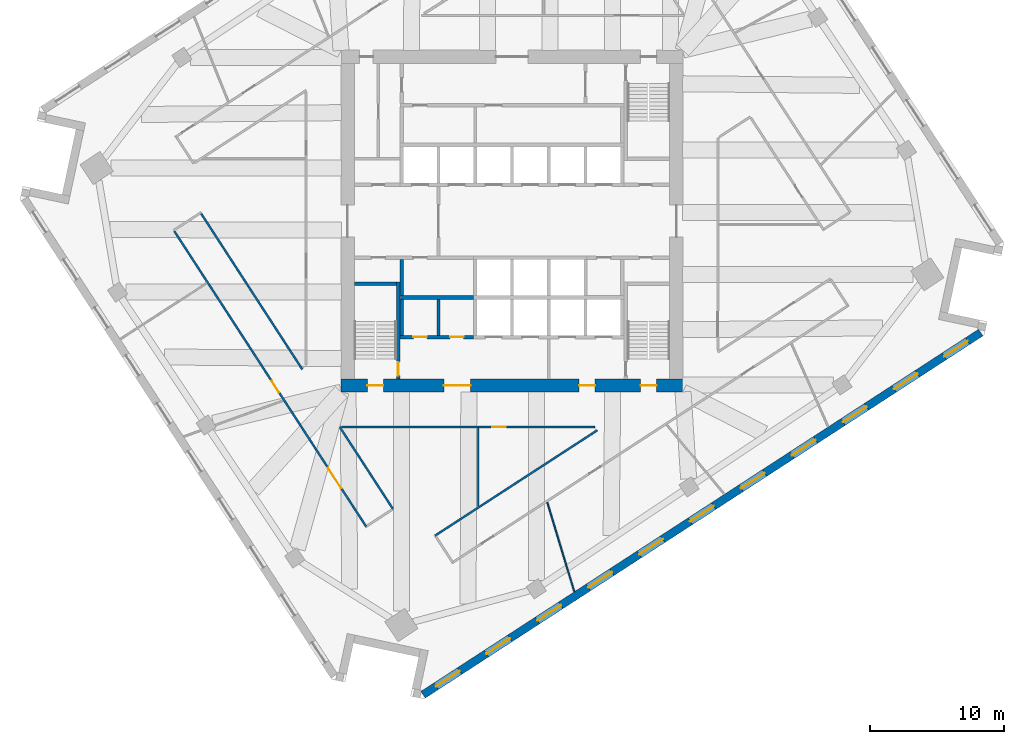
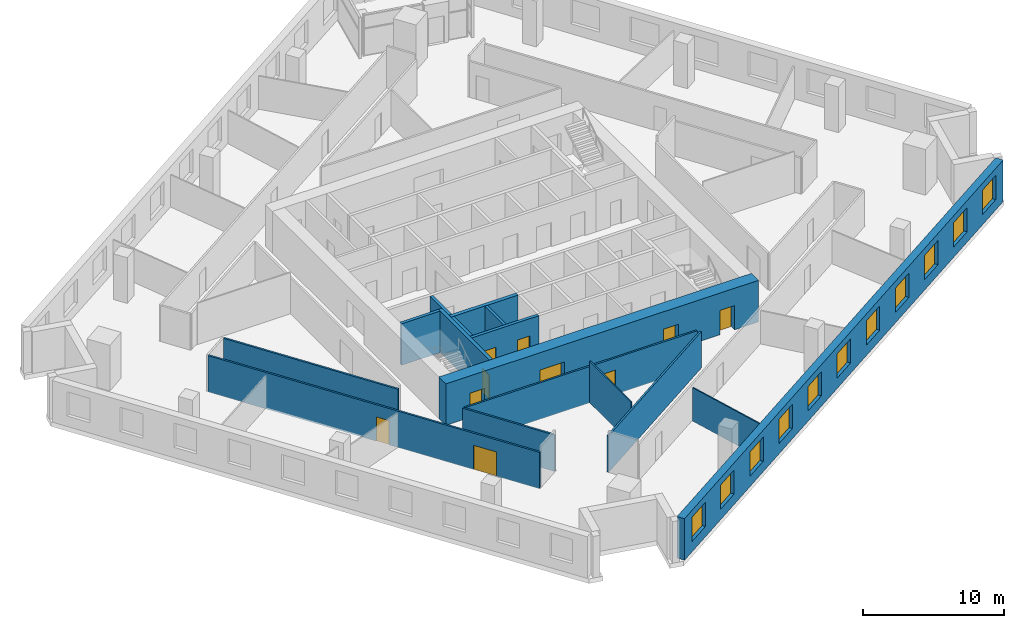
# One storey, part 6 of 12: 16 walls, 11 windows, 10 doors, 21 openings.
"""IFC4 building model written with IfcOpenShell, lengths in metres."""

from ifc_helpers import new_model, si_unit, direction, frame, frame_2d, origin, place, context, subcontext, project, spatial, rectangle, extrude, material, layer, layer_set, type_object, element, fill, save


model = new_model("IFC4")

# Units and contexts
model_context = context("Model", 3, precision=1e-05, world=origin(), true_north=direction((0.0, 1.0)))
body_context = subcontext(model_context, "Body", "Model", "MODEL_VIEW")
ifc_project = project(units=[si_unit("LENGTHUNIT", "METRE"), si_unit("AREAUNIT", "SQUARE_METRE"), si_unit("VOLUMEUNIT", "CUBIC_METRE"), si_unit("PLANEANGLEUNIT", "RADIAN"), si_unit("MASSUNIT", "GRAM", prefix="KILO")], contexts=[model_context])

# Site, building, storey
site_placement = place(None, origin())
site = spatial("IfcSite", under=ifc_project, at=site_placement, CompositionType="ELEMENT")
building_placement = place(site_placement, origin())
building = spatial("IfcBuilding", under=site, at=building_placement, Name="Dilmun Exchange Tower", CompositionType="ELEMENT")
storey_placement = place(building_placement, frame((0.0, 0.0, 159.699951171875)))
storey = spatial("IfcBuildingStorey", under=building, at=storey_placement, Name="L37", CompositionType="ELEMENT", Elevation=159.699951171875)

# Wall
ifc_material_1 = material(Name="Concrete C40/50", Category="concrete")
ifc_layer_1 = layer(ifc_material_1, 0.199951171875)
ifc_layer_set_1 = layer_set([ifc_layer_1], Name="Concrete C40/50")
wall_type_1 = type_object("IfcWallType", Name="Core partition wall 200", PredefinedType="PARTITIONING", material=ifc_layer_set_1)
wall_1_placement = place(storey_placement, frame((-5.5, -8.544921875, 0.0), z_axis=(0.0, 0.0, 1.0), x_axis=(0.0, 1.0, 0.0)))
element("IfcWall", 1, at=wall_1_placement, inside=storey, type_object=wall_type_1, Name="L37 core partition wall 04", PredefinedType="PARTITIONING", context=body_context, shape_type="SweptSolid", body=[
    extrude(rectangle(XDim=2.68994140625, YDim=0.199951171875, at=frame_2d((1.344970703125, 0.0))), origin(), (0.0, 0.0, 1.0), 3.60009765625),
])

# Wall, openings, doors
ifc_layer_2 = layer(ifc_material_1, 0.25)
ifc_layer_set_2 = layer_set([ifc_layer_2], Name="Concrete C40/50")
wall_type_2 = type_object("IfcWallType", Name="Core partition wall 250", PredefinedType="PARTITIONING", material=ifc_layer_set_2)
wall_2_placement = place(storey_placement, frame((-8.3701171875, -8.675048828125, 0.0), z_axis=(0.0, 0.0, 1.0), x_axis=(1.0, 0.0, 0.0)))
wall_2 = element("IfcWall", 2, at=wall_2_placement, inside=storey, type_object=wall_type_2, Name="L37 core partition wall 02", PredefinedType="PARTITIONING", context=body_context, shape_type="SweptSolid", body=[
    extrude(rectangle(XDim=5.490234375, YDim=0.25, at=frame_2d((2.7451171875, 0.0))), origin(), (0.0, 0.0, 1.0), 3.60009765625),
])
opening_1_placement = place(wall_2_placement, frame((0.9951171875, 0.0, 0.0)))
opening_1 = element("IfcOpeningElement", 3, at=opening_1_placement, cuts=wall_2, Name="Opening CD4", PredefinedType="OPENING", context=body_context, shape_type="SweptSolid", body=[
    extrude(rectangle(XDim=1.0, YDim=2.10009765625, at=frame_2d((0.5, 1.050048828125))), frame((0.0, 0.135009765625, 0.0), z_axis=(0.0, -1.0, 0.0), x_axis=(1.0, 0.0, 0.0)), (0.0, 0.0, 1.0), 0.27001953125),
])
opening_2_placement = place(wall_2_placement, frame((3.7451171875, 0.0, 0.0)))
opening_2 = element("IfcOpeningElement", 4, at=opening_2_placement, cuts=wall_2, Name="Opening CD4", PredefinedType="OPENING", context=body_context, shape_type="SweptSolid", body=[
    extrude(rectangle(XDim=1.0, YDim=2.10009765625, at=frame_2d((0.5, 1.050048828125))), frame((0.0, 0.135009765625, 0.0), z_axis=(0.0, -1.0, 0.0), x_axis=(1.0, 0.0, 0.0)), (0.0, 0.0, 1.0), 0.27001953125),
])
ifc_material_2 = material(Name="Fire-rated steel door set", Category="steel")
door_type_1 = type_object("IfcDoorType", Name="Core room door 1000x2100", OperationType="SINGLE_SWING_LEFT", PredefinedType="DOOR", material=ifc_material_2)
door_1_placement = place(opening_1_placement, origin())
door_1 = element("IfcDoor", 5, at=door_1_placement, inside=storey, type_object=door_type_1, Name="L37 door Male WC", OperationType="SINGLE_SWING_RIGHT", OverallHeight=2.10009765625, OverallWidth=1.0, PredefinedType="DOOR", context=body_context, shape_type="SweptSolid", body=[
    extrude(rectangle(XDim=1.0, YDim=2.10009765625, at=frame_2d((0.5, 1.050048828125))), frame((0.0, 0.02490234375, 0.0), z_axis=(0.0, -1.0, 0.0), x_axis=(1.0, 0.0, 0.0)), (0.0, 0.0, 1.0), 0.050048828125),
])
fill(opening_1, door_1)
door_2_placement = place(opening_2_placement, origin())
door_2 = element("IfcDoor", 6, at=door_2_placement, inside=storey, type_object=door_type_1, Name="L37 door Female WC", OperationType="SINGLE_SWING_RIGHT", OverallHeight=2.10009765625, OverallWidth=1.0, PredefinedType="DOOR", context=body_context, shape_type="SweptSolid", body=[
    extrude(rectangle(XDim=1.0, YDim=2.10009765625, at=frame_2d((0.5, 1.050048828125))), frame((0.0, 0.02490234375, 0.0), z_axis=(0.0, -1.0, 0.0), x_axis=(1.0, 0.0, 0.0)), (0.0, 0.0, 1.0), 0.050048828125),
])
fill(opening_2, door_2)

# Walls
for number, where, z_axis, x_axis, name in (
    (7, (-8.25, -8.544921875, 0.0), (0.0, 0.0, 1.0), (0.0, 1.0, 0.0), "L37 core partition wall 03"),
    (8, (-8.25, -5.544921875, 0.0), (0.0, 0.0, 1.0), (0.0, 1.0, 0.0), "L37 core partition wall 06"),
):
    element("IfcWall", number, at=place(storey_placement, frame(where, z_axis=z_axis, x_axis=x_axis)), inside=storey, type_object=wall_type_2, Name=name, PredefinedType="PARTITIONING", context=body_context, shape_type="SweptSolid", body=[
        extrude(rectangle(XDim=2.68994140625, YDim=0.25, at=frame_2d((1.344970703125, 0.0))), origin(), (0.0, 0.0, 1.0), 3.60009765625),
    ])
ifc_layer_3 = layer(ifc_material_1, 0.300048828125)
ifc_layer_set_3 = layer_set([ifc_layer_3], Name="Concrete C40/50")
wall_type_3 = type_object("IfcWallType", Name="Core partition wall 300", PredefinedType="PARTITIONING", material=ifc_layer_set_3)
wall_3_placement = place(storey_placement, frame((-8.35009765625, -5.699951171875, 0.0), z_axis=(0.0, 0.0, 1.0), x_axis=(1.0, 0.0, 0.0)))
element("IfcWall", 9, at=wall_3_placement, inside=storey, type_object=wall_type_3, Name="L37 core partition wall 05", PredefinedType="PARTITIONING", context=body_context, shape_type="SweptSolid", body=[
    extrude(rectangle(XDim=5.47021484375, YDim=0.300048828125, at=frame_2d((2.735107421875, 0.0))), origin(), (0.0, 0.0, 1.0), 3.60009765625),
])

# Wall, openings, doors
ifc_material_3 = material(Name="Concrete C70/85", Category="concrete")
ifc_layer_4 = layer(ifc_material_3, 1.0)
ifc_layer_set_4 = layer_set([ifc_layer_4], Name="Concrete C70/85")
wall_type_4 = type_object("IfcWallType", Name="Core shear wall 1000 Concrete C70/85", PredefinedType="SHEAR", material=ifc_layer_set_4)
wall_4_placement = place(storey_placement, frame((-12.800048828125, -12.300048828125, 0.0), z_axis=(0.0, 0.0, 1.0), x_axis=(1.0, 0.0, 0.0)))
wall_4 = element("IfcWall", 10, at=wall_4_placement, inside=storey, type_object=wall_type_4, Name="L37 core shear wall S", PredefinedType="SHEAR", context=body_context, shape_type="SweptSolid", body=[
    extrude(rectangle(XDim=25.60009765625, YDim=1.0, at=frame_2d((12.800048828125, 0.0))), origin(), (0.0, 0.0, 1.0), 3.60009765625),
])
opening_3_placement = place(wall_4_placement, frame((7.699951171875, 0.0, 0.0)))
opening_3 = element("IfcOpeningElement", 11, at=opening_3_placement, cuts=wall_4, Name="Opening CD2", PredefinedType="OPENING", context=body_context, shape_type="SweptSolid", body=[
    extrude(rectangle(XDim=2.0, YDim=2.10009765625, at=frame_2d((1.0, 1.050048828125))), frame((0.0, 0.510009765625, 0.0), z_axis=(0.0, -1.0, 0.0), x_axis=(1.0, 0.0, 0.0)), (0.0, 0.0, 1.0), 1.02001953125),
])
opening_4_placement = place(wall_4_placement, frame((17.824951171875, 0.0, 0.0)))
opening_4 = element("IfcOpeningElement", 12, at=opening_4_placement, cuts=wall_4, Name="Opening CD3", PredefinedType="OPENING", context=body_context, shape_type="SweptSolid", body=[
    extrude(rectangle(XDim=1.199951171875, YDim=2.10009765625, at=frame_2d((0.60009765625, 1.050048828125))), frame((0.0, 0.510009765625, 0.0), z_axis=(0.0, -1.0, 0.0), x_axis=(1.0, 0.0, 0.0)), (0.0, 0.0, 1.0), 1.02001953125),
])
opening_5_placement = place(wall_4_placement, frame((1.97509765625, 0.0, 0.0)))
opening_5 = element("IfcOpeningElement", 13, at=opening_5_placement, cuts=wall_4, Name="Opening CD3", PredefinedType="OPENING", context=body_context, shape_type="SweptSolid", body=[
    extrude(rectangle(XDim=1.199951171875, YDim=2.10009765625, at=frame_2d((0.60009765625, 1.050048828125))), frame((0.0, 0.510009765625, 0.0), z_axis=(0.0, -1.0, 0.0), x_axis=(1.0, 0.0, 0.0)), (0.0, 0.0, 1.0), 1.02001953125),
])
opening_6_placement = place(wall_4_placement, frame((22.425048828125, 0.0, 0.0)))
opening_6 = element("IfcOpeningElement", 14, at=opening_6_placement, cuts=wall_4, Name="Opening CD3", PredefinedType="OPENING", context=body_context, shape_type="SweptSolid", body=[
    extrude(rectangle(XDim=1.199951171875, YDim=2.10009765625, at=frame_2d((0.60009765625, 1.050048828125))), frame((0.0, 0.510009765625, 0.0), z_axis=(0.0, -1.0, 0.0), x_axis=(1.0, 0.0, 0.0)), (0.0, 0.0, 1.0), 1.02001953125),
])
door_type_2 = type_object("IfcDoorType", Name="Core service door 2000x2100", OperationType="DOUBLE_DOOR_DOUBLE_SWING", PredefinedType="DOOR", material=ifc_material_2)
door_3_placement = place(opening_3_placement, origin())
door_3 = element("IfcDoor", 15, at=door_3_placement, inside=storey, type_object=door_type_2, Name="L37 door South service lobby", OperationType="SINGLE_SWING_LEFT", OverallHeight=2.10009765625, OverallWidth=2.0, PredefinedType="DOOR", context=body_context, shape_type="SweptSolid", body=[
    extrude(rectangle(XDim=2.0, YDim=2.10009765625, at=frame_2d((1.0, 1.050048828125))), frame((0.0, 0.02490234375, 0.0), z_axis=(0.0, -1.0, 0.0), x_axis=(1.0, 0.0, 0.0)), (0.0, 0.0, 1.0), 0.050048828125),
])
fill(opening_3, door_3)
door_type_3 = type_object("IfcDoorType", Name="Stair exit door 1200x2100", OperationType="SINGLE_SWING_LEFT", PredefinedType="DOOR", material=ifc_material_2)
door_4_placement = place(opening_4_placement, origin())
door_4 = element("IfcDoor", 16, at=door_4_placement, inside=storey, type_object=door_type_3, Name="L37 door Fire-fighting lobby", OperationType="SINGLE_SWING_LEFT", OverallHeight=2.10009765625, OverallWidth=1.199951171875, PredefinedType="DOOR", context=body_context, shape_type="SweptSolid", body=[
    extrude(rectangle(XDim=1.199951171875, YDim=2.10009765625, at=frame_2d((0.60009765625, 1.050048828125))), frame((0.0, 0.02490234375, 0.0), z_axis=(0.0, -1.0, 0.0), x_axis=(1.0, 0.0, 0.0)), (0.0, 0.0, 1.0), 0.050048828125),
])
fill(opening_4, door_4)
door_5_placement = place(opening_5_placement, origin())
door_5 = element("IfcDoor", 17, at=door_5_placement, inside=storey, type_object=door_type_3, Name="L37 door Stair ST2", OperationType="SINGLE_SWING_LEFT", OverallHeight=2.10009765625, OverallWidth=1.199951171875, PredefinedType="DOOR", context=body_context, shape_type="SweptSolid", body=[
    extrude(rectangle(XDim=1.199951171875, YDim=2.10009765625, at=frame_2d((0.60009765625, 1.050048828125))), frame((0.0, 0.02490234375, 0.0), z_axis=(0.0, -1.0, 0.0), x_axis=(1.0, 0.0, 0.0)), (0.0, 0.0, 1.0), 0.050048828125),
])
fill(opening_5, door_5)
door_6_placement = place(opening_6_placement, origin())
door_6 = element("IfcDoor", 18, at=door_6_placement, inside=storey, type_object=door_type_3, Name="L37 door Stair ST3", OperationType="SINGLE_SWING_LEFT", OverallHeight=2.10009765625, OverallWidth=1.199951171875, PredefinedType="DOOR", context=body_context, shape_type="SweptSolid", body=[
    extrude(rectangle(XDim=1.199951171875, YDim=2.10009765625, at=frame_2d((0.60009765625, 1.050048828125))), frame((0.0, 0.02490234375, 0.0), z_axis=(0.0, -1.0, 0.0), x_axis=(1.0, 0.0, 0.0)), (0.0, 0.0, 1.0), 0.050048828125),
])
fill(opening_6, door_6)

ifc_material_4 = material(Name="Corridor wall 150")
ifc_layer_5 = layer(ifc_material_4, 0.14990234375)
ifc_layer_set_5 = layer_set([ifc_layer_5], Name="Corridor wall 150")
wall_type_5 = type_object("IfcWallType", Name="Corridor wall 150", PredefinedType="PARTITIONING", material=ifc_layer_set_5)
wall_5_placement = place(storey_placement, frame((-25.27099609375, -0.743896484375, 0.0), z_axis=(0.0, 0.0, 1.0), x_axis=(0.544659433471, -0.838657320681, 0.0)))
wall_5 = element("IfcWall", 19, at=wall_5_placement, inside=storey, type_object=wall_type_5, Name="Corridor wall", PredefinedType="PARTITIONING", context=body_context, shape_type="SweptSolid", body=[
    extrude(rectangle(XDim=26.35400390625, YDim=0.14990234375, at=frame_2d((13.177001953125, 0.0))), origin(), (0.0, 0.0, 1.0), 3.150146484375),
])
opening_7_placement = place(wall_5_placement, frame((13.3876953125, 0.0, 0.0)))
opening_7 = element("IfcOpeningElement", 20, at=opening_7_placement, cuts=wall_5, Name="Opening TF36-D03", PredefinedType="OPENING", context=body_context, shape_type="SweptSolid", body=[
    extrude(rectangle(XDim=1.0, YDim=2.10009765625, at=frame_2d((0.5, 1.050048828125))), frame((0.0, 0.0849609375, 0.0), z_axis=(0.0, -1.0, 0.0), x_axis=(1.0, 0.0, 0.0)), (0.0, 0.0, 1.0), 0.169921875),
])
opening_8_placement = place(wall_5_placement, frame((21.13671875, 0.0, 0.0)))
opening_8 = element("IfcOpeningElement", 21, at=opening_8_placement, cuts=wall_5, Name="Opening TF36-D07", PredefinedType="OPENING", context=body_context, shape_type="SweptSolid", body=[
    extrude(rectangle(XDim=1.800048828125, YDim=2.10009765625, at=frame_2d((0.89990234375, 1.050048828125))), frame((0.0, 0.0849609375, 0.0), z_axis=(0.0, -1.0, 0.0), x_axis=(1.0, 0.0, 0.0)), (0.0, 0.0, 1.0), 0.169921875),
])
ifc_material_5 = material(Name="Fire door 1000 x 2100")
door_type_4 = type_object("IfcDoorType", Name="Fire door 1000 x 2100", OperationType="NOTDEFINED", PredefinedType="DOOR", material=ifc_material_5)
door_7_placement = place(opening_7_placement, frame((1.0, 0.0, 0.0), z_axis=(0.0, 0.0, 1.0), x_axis=(-1.0, 0.0, 0.0)))
door_7 = element("IfcDoor", 22, at=door_7_placement, inside=storey, type_object=door_type_4, Name="Door TF36-D03", OperationType="SINGLE_SWING_LEFT", OverallHeight=2.10009765625, OverallWidth=1.0, PredefinedType="DOOR", context=body_context, shape_type="SweptSolid", body=[
    extrude(rectangle(XDim=1.0, YDim=2.10009765625, at=frame_2d((0.5, 1.050048828125))), frame((0.0, 0.02490234375, 0.0), z_axis=(0.0, -1.0, 0.0), x_axis=(1.0, 0.0, 0.0)), (0.0, 0.0, 1.0), 0.050048828125),
])
fill(opening_7, door_7)
ifc_material_6 = material(Name="Fire door pair 1800 x 2100")
door_type_5 = type_object("IfcDoorType", Name="Fire door pair 1800 x 2100", OperationType="NOTDEFINED", PredefinedType="DOOR", material=ifc_material_6)
door_8_placement = place(opening_8_placement, frame((1.800048828125, 0.0, 0.0), z_axis=(0.0, 0.0, 1.0), x_axis=(-1.0, 0.0, 0.0)))
door_8 = element("IfcDoor", 23, at=door_8_placement, inside=storey, type_object=door_type_5, Name="Door TF36-D07", OperationType="DOUBLE_DOOR_SINGLE_SWING", OverallHeight=2.10009765625, OverallWidth=1.800048828125, PredefinedType="DOOR", context=body_context, shape_type="SweptSolid", body=[
    extrude(rectangle(XDim=1.800048828125, YDim=2.10009765625, at=frame_2d((0.89990234375, 1.050048828125))), frame((0.0, 0.02490234375, 0.0), z_axis=(0.0, -1.0, 0.0), x_axis=(1.0, 0.0, 0.0)), (0.0, 0.0, 1.0), 0.050048828125),
])
fill(opening_8, door_8)

# Walls
wall_6_placement = place(storey_placement, frame((-23.258056640625, 0.56298828125, 0.0), z_axis=(0.0, 0.0, 1.0), x_axis=(0.544638327972, -0.838671027104, 0.0)))
element("IfcWall", 24, at=wall_6_placement, inside=storey, type_object=wall_type_5, Name="Corridor wall", PredefinedType="PARTITIONING", context=body_context, shape_type="SweptSolid", body=[
    extrude(rectangle(XDim=13.90283203125, YDim=0.14990234375, at=frame_2d((6.951416015625, 0.0))), origin(), (0.0, 0.0, 1.0), 3.150146484375),
])
wall_7_placement = place(storey_placement, frame((-12.89111328125, -15.39990234375, 0.0), z_axis=(0.0, 0.0, 1.0), x_axis=(0.544568574612, -0.838716321258, 0.0)))
element("IfcWall", 25, at=wall_7_placement, inside=storey, type_object=wall_type_5, Name="Corridor wall", PredefinedType="PARTITIONING", context=body_context, shape_type="SweptSolid", body=[
    extrude(rectangle(XDim=7.31982421875, YDim=0.14990234375, at=frame_2d((3.659912109375, 0.0))), origin(), (0.0, 0.0, 1.0), 3.150146484375),
])

# Wall, opening, door
wall_8_placement = place(storey_placement, frame((-12.7529296875, -15.39990234375, 0.0), z_axis=(0.0, 0.0, 1.0), x_axis=(1.0, 0.0, 0.0)))
wall_8 = element("IfcWall", 26, at=wall_8_placement, inside=storey, type_object=wall_type_5, Name="Corridor wall", PredefinedType="PARTITIONING", context=body_context, shape_type="SweptSolid", body=[
    extrude(rectangle(XDim=18.98193359375, YDim=0.14990234375, at=frame_2d((9.490966796875, 0.0))), origin(), (0.0, 0.0, 1.0), 3.150146484375),
])
opening_9_placement = place(wall_8_placement, frame((11.275390625, 0.0, 0.0)))
opening_9 = element("IfcOpeningElement", 27, at=opening_9_placement, cuts=wall_8, Name="Opening TF36-D11", PredefinedType="OPENING", context=body_context, shape_type="SweptSolid", body=[
    extrude(rectangle(XDim=1.0, YDim=2.10009765625, at=frame_2d((0.5, 1.050048828125))), frame((0.0, 0.0849609375, 0.0), z_axis=(0.0, -1.0, 0.0), x_axis=(1.0, 0.0, 0.0)), (0.0, 0.0, 1.0), 0.169921875),
])
door_9_placement = place(opening_9_placement, frame((1.0, 0.0, 0.0), z_axis=(0.0, 0.0, 1.0), x_axis=(-1.0, 0.0, 0.0)))
door_9 = element("IfcDoor", 28, at=door_9_placement, inside=storey, type_object=door_type_4, Name="Door TF36-D11", OperationType="SINGLE_SWING_LEFT", OverallHeight=2.10009765625, OverallWidth=1.0, PredefinedType="DOOR", context=body_context, shape_type="SweptSolid", body=[
    extrude(rectangle(XDim=1.0, YDim=2.10009765625, at=frame_2d((0.5, 1.050048828125))), frame((0.0, 0.02490234375, 0.0), z_axis=(0.0, -1.0, 0.0), x_axis=(1.0, 0.0, 0.0)), (0.0, 0.0, 1.0), 0.050048828125),
])
fill(opening_9, door_9)

# Walls
wall_9_placement = place(storey_placement, frame((-5.74609375, -23.52392578125, 0.0), z_axis=(0.0, 0.0, 1.0), x_axis=(0.838672161822, 0.544636580652, 0.0)))
element("IfcWall", 29, at=wall_9_placement, inside=storey, type_object=wall_type_5, Name="Corridor wall", PredefinedType="PARTITIONING", context=body_context, shape_type="SweptSolid", body=[
    extrude(rectangle(XDim=14.46826171875, YDim=0.14990234375, at=frame_2d((7.234130859375, 0.0))), origin(), (0.0, 0.0, 1.0), 3.150146484375),
])
ifc_material_7 = material(Name="Partition 100")
ifc_layer_6 = layer(ifc_material_7, 0.10009765625)
ifc_layer_set_6 = layer_set([ifc_layer_6], Name="Partition 100")
wall_type_6 = type_object("IfcWallType", Name="Partition 100", PredefinedType="PARTITIONING", material=ifc_layer_set_6)
wall_10_placement = place(storey_placement, frame((-2.528076171875, -21.31201171875, 0.0), z_axis=(0.0, 0.0, 1.0), x_axis=(0.0, 1.0, 0.0)))
element("IfcWall", 30, at=wall_10_placement, inside=storey, type_object=wall_type_6, Name="Partition", PredefinedType="PARTITIONING", context=body_context, shape_type="SweptSolid", body=[
    extrude(rectangle(XDim=5.8369140625, YDim=0.10009765625, at=frame_2d((2.91845703125, 0.0))), origin(), (0.0, 0.0, 1.0), 3.60009765625),
])
wall_11_placement = place(storey_placement, frame((2.642822265625, -21.043701171875, 0.0), z_axis=(0.0, 0.0, 1.0), x_axis=(0.289254732228, -0.957252161076, 0.0)))
element("IfcWall", 31, at=wall_11_placement, inside=storey, type_object=wall_type_6, Name="Partition", PredefinedType="PARTITIONING", context=body_context, shape_type="SweptSolid", body=[
    extrude(rectangle(XDim=6.98681640625, YDim=0.10009765625, at=frame_2d((3.493408203125, 0.0))), origin(), (0.0, 0.0, 1.0), 2.900146484375),
])

# Wall, openings, windows
ifc_material_8 = material(Name="Precast concrete C50/60", Category="concrete")
ifc_layer_7 = layer(ifc_material_8, 0.60009765625)
ifc_layer_set_7 = layer_set([ifc_layer_7], Name="Precast concrete C50/60")
wall_type_7 = type_object("IfcWallType", Name="Precast stone-clad wall 600", PredefinedType="STANDARD", material=ifc_layer_set_7)
wall_12_placement = place(storey_placement, frame((-6.6474609375, -35.4375, 0.0), z_axis=(0.0, 0.0, 1.0), x_axis=(0.838672034147, 0.544636777257, 0.0)))
wall_12 = element("IfcWall", 32, at=wall_12_placement, inside=storey, type_object=wall_type_7, Name="Facade wall L37-15", PredefinedType="STANDARD", context=body_context, shape_type="SweptSolid", body=[
    extrude(rectangle(XDim=49.75146484375, YDim=0.60009765625, at=frame_2d((24.875732421875, 0.0))), origin(), (0.0, 0.0, 1.0), 3.60009765625),
])
opening_10_placement = place(wall_12_placement, frame((1.16064453125, 0.0, 0.89990234375)))
opening_10 = element("IfcOpeningElement", 33, at=opening_10_placement, cuts=wall_12, Name="Opening W210-210", PredefinedType="OPENING", context=body_context, shape_type="SweptSolid", body=[
    extrude(rectangle(XDim=2.10009765625, YDim=2.10009765625, at=frame_2d((1.050048828125, 1.050048828125))), frame((0.0, 0.31005859375, 0.0), z_axis=(0.0, -1.0, 0.0), x_axis=(1.0, 0.0, 0.0)), (0.0, 0.0, 1.0), 0.6201171875),
])
opening_11_placement = place(wall_12_placement, frame((5.643798828125, 0.0, 0.89990234375)))
opening_11 = element("IfcOpeningElement", 34, at=opening_11_placement, cuts=wall_12, Name="Opening W210-210", PredefinedType="OPENING", context=body_context, shape_type="SweptSolid", body=[
    extrude(rectangle(XDim=2.10009765625, YDim=2.10009765625, at=frame_2d((1.050048828125, 1.050048828125))), frame((0.0, 0.31005859375, 0.0), z_axis=(0.0, -1.0, 0.0), x_axis=(1.0, 0.0, 0.0)), (0.0, 0.0, 1.0), 0.6201171875),
])
opening_12_placement = place(wall_12_placement, frame((10.189453125, 0.0, 0.89990234375)))
opening_12 = element("IfcOpeningElement", 35, at=opening_12_placement, cuts=wall_12, Name="Opening W210-210", PredefinedType="OPENING", context=body_context, shape_type="SweptSolid", body=[
    extrude(rectangle(XDim=2.10009765625, YDim=2.10009765625, at=frame_2d((1.050048828125, 1.050048828125))), frame((0.0, 0.31005859375, 0.0), z_axis=(0.0, -1.0, 0.0), x_axis=(1.0, 0.0, 0.0)), (0.0, 0.0, 1.0), 0.6201171875),
])
opening_13_placement = place(wall_12_placement, frame((14.73486328125, 0.0, 0.89990234375)))
opening_13 = element("IfcOpeningElement", 36, at=opening_13_placement, cuts=wall_12, Name="Opening W210-210", PredefinedType="OPENING", context=body_context, shape_type="SweptSolid", body=[
    extrude(rectangle(XDim=2.10009765625, YDim=2.10009765625, at=frame_2d((1.050048828125, 1.050048828125))), frame((0.0, 0.31005859375, 0.0), z_axis=(0.0, -1.0, 0.0), x_axis=(1.0, 0.0, 0.0)), (0.0, 0.0, 1.0), 0.6201171875),
])
opening_14_placement = place(wall_12_placement, frame((19.2802734375, 0.0, 0.89990234375)))
opening_14 = element("IfcOpeningElement", 37, at=opening_14_placement, cuts=wall_12, Name="Opening W210-210", PredefinedType="OPENING", context=body_context, shape_type="SweptSolid", body=[
    extrude(rectangle(XDim=2.10009765625, YDim=2.10009765625, at=frame_2d((1.050048828125, 1.050048828125))), frame((0.0, 0.31005859375, 0.0), z_axis=(0.0, -1.0, 0.0), x_axis=(1.0, 0.0, 0.0)), (0.0, 0.0, 1.0), 0.6201171875),
])
opening_15_placement = place(wall_12_placement, frame((23.82568359375, 0.0, 0.89990234375)))
opening_15 = element("IfcOpeningElement", 38, at=opening_15_placement, cuts=wall_12, Name="Opening W210-210", PredefinedType="OPENING", context=body_context, shape_type="SweptSolid", body=[
    extrude(rectangle(XDim=2.10009765625, YDim=2.10009765625, at=frame_2d((1.050048828125, 1.050048828125))), frame((0.0, 0.31005859375, 0.0), z_axis=(0.0, -1.0, 0.0), x_axis=(1.0, 0.0, 0.0)), (0.0, 0.0, 1.0), 0.6201171875),
])
opening_16_placement = place(wall_12_placement, frame((28.37109375, 0.0, 0.89990234375)))
opening_16 = element("IfcOpeningElement", 39, at=opening_16_placement, cuts=wall_12, Name="Opening W210-210", PredefinedType="OPENING", context=body_context, shape_type="SweptSolid", body=[
    extrude(rectangle(XDim=2.10009765625, YDim=2.10009765625, at=frame_2d((1.050048828125, 1.050048828125))), frame((0.0, 0.31005859375, 0.0), z_axis=(0.0, -1.0, 0.0), x_axis=(1.0, 0.0, 0.0)), (0.0, 0.0, 1.0), 0.6201171875),
])
opening_17_placement = place(wall_12_placement, frame((32.91650390625, 0.0, 0.89990234375)))
opening_17 = element("IfcOpeningElement", 40, at=opening_17_placement, cuts=wall_12, Name="Opening W210-210", PredefinedType="OPENING", context=body_context, shape_type="SweptSolid", body=[
    extrude(rectangle(XDim=2.10009765625, YDim=2.10009765625, at=frame_2d((1.050048828125, 1.050048828125))), frame((0.0, 0.31005859375, 0.0), z_axis=(0.0, -1.0, 0.0), x_axis=(1.0, 0.0, 0.0)), (0.0, 0.0, 1.0), 0.6201171875),
])
opening_18_placement = place(wall_12_placement, frame((37.462158203125, 0.0, 0.89990234375)))
opening_18 = element("IfcOpeningElement", 41, at=opening_18_placement, cuts=wall_12, Name="Opening W210-210", PredefinedType="OPENING", context=body_context, shape_type="SweptSolid", body=[
    extrude(rectangle(XDim=2.10009765625, YDim=2.10009765625, at=frame_2d((1.050048828125, 1.050048828125))), frame((0.0, 0.31005859375, 0.0), z_axis=(0.0, -1.0, 0.0), x_axis=(1.0, 0.0, 0.0)), (0.0, 0.0, 1.0), 0.6201171875),
])
opening_19_placement = place(wall_12_placement, frame((42.007568359375, 0.0, 0.89990234375)))
opening_19 = element("IfcOpeningElement", 42, at=opening_19_placement, cuts=wall_12, Name="Opening W210-210", PredefinedType="OPENING", context=body_context, shape_type="SweptSolid", body=[
    extrude(rectangle(XDim=2.10009765625, YDim=2.10009765625, at=frame_2d((1.050048828125, 1.050048828125))), frame((0.0, 0.31005859375, 0.0), z_axis=(0.0, -1.0, 0.0), x_axis=(1.0, 0.0, 0.0)), (0.0, 0.0, 1.0), 0.6201171875),
])
opening_20_placement = place(wall_12_placement, frame((46.490966796875, 0.0, 0.89990234375)))
opening_20 = element("IfcOpeningElement", 43, at=opening_20_placement, cuts=wall_12, Name="Opening W210-210", PredefinedType="OPENING", context=body_context, shape_type="SweptSolid", body=[
    extrude(rectangle(XDim=2.10009765625, YDim=2.10009765625, at=frame_2d((1.050048828125, 1.050048828125))), frame((0.0, 0.31005859375, 0.0), z_axis=(0.0, -1.0, 0.0), x_axis=(1.0, 0.0, 0.0)), (0.0, 0.0, 1.0), 0.6201171875),
])
ifc_material_9 = material(Name="Clear low-emissivity glass in aluminium frame", Category="aluminium")
window_type = type_object("IfcWindowType", Name="Punched window 2100 x 2100", PartitioningType="DOUBLE_PANEL_VERTICAL", PredefinedType="WINDOW", material=ifc_material_9)
window_1_placement = place(opening_10_placement, origin())
window_1 = element("IfcWindow", 44, at=window_1_placement, inside=storey, type_object=window_type, Name="Window 16.1", OverallHeight=2.10009765625, OverallWidth=2.10009765625, PartitioningType="SINGLE_PANEL", PredefinedType="WINDOW", context=body_context, shape_type="SweptSolid", body=[
    extrude(rectangle(XDim=2.10009765625, YDim=2.10009765625, at=frame_2d((1.050048828125, 1.050048828125))), frame((0.0, 0.030029296875, 0.0), z_axis=(0.0, -1.0, 0.0), x_axis=(1.0, 0.0, 0.0)), (0.0, 0.0, 1.0), 0.06005859375),
])
fill(opening_10, window_1)
window_2_placement = place(opening_11_placement, origin())
window_2 = element("IfcWindow", 45, at=window_2_placement, inside=storey, type_object=window_type, Name="Window 16.2", OverallHeight=2.10009765625, OverallWidth=2.10009765625, PartitioningType="SINGLE_PANEL", PredefinedType="WINDOW", context=body_context, shape_type="SweptSolid", body=[
    extrude(rectangle(XDim=2.10009765625, YDim=2.10009765625, at=frame_2d((1.050048828125, 1.050048828125))), frame((0.0, 0.030029296875, 0.0), z_axis=(0.0, -1.0, 0.0), x_axis=(1.0, 0.0, 0.0)), (0.0, 0.0, 1.0), 0.06005859375),
])
fill(opening_11, window_2)
window_3_placement = place(opening_12_placement, origin())
window_3 = element("IfcWindow", 46, at=window_3_placement, inside=storey, type_object=window_type, Name="Window 16.3", OverallHeight=2.10009765625, OverallWidth=2.10009765625, PartitioningType="SINGLE_PANEL", PredefinedType="WINDOW", context=body_context, shape_type="SweptSolid", body=[
    extrude(rectangle(XDim=2.10009765625, YDim=2.10009765625, at=frame_2d((1.050048828125, 1.050048828125))), frame((0.0, 0.030029296875, 0.0), z_axis=(0.0, -1.0, 0.0), x_axis=(1.0, 0.0, 0.0)), (0.0, 0.0, 1.0), 0.06005859375),
])
fill(opening_12, window_3)
window_4_placement = place(opening_13_placement, origin())
window_4 = element("IfcWindow", 47, at=window_4_placement, inside=storey, type_object=window_type, Name="Window 16.4", OverallHeight=2.10009765625, OverallWidth=2.10009765625, PartitioningType="SINGLE_PANEL", PredefinedType="WINDOW", context=body_context, shape_type="SweptSolid", body=[
    extrude(rectangle(XDim=2.10009765625, YDim=2.10009765625, at=frame_2d((1.050048828125, 1.050048828125))), frame((0.0, 0.030029296875, 0.0), z_axis=(0.0, -1.0, 0.0), x_axis=(1.0, 0.0, 0.0)), (0.0, 0.0, 1.0), 0.06005859375),
])
fill(opening_13, window_4)
window_5_placement = place(opening_14_placement, origin())
window_5 = element("IfcWindow", 48, at=window_5_placement, inside=storey, type_object=window_type, Name="Window 16.5", OverallHeight=2.10009765625, OverallWidth=2.10009765625, PartitioningType="SINGLE_PANEL", PredefinedType="WINDOW", context=body_context, shape_type="SweptSolid", body=[
    extrude(rectangle(XDim=2.10009765625, YDim=2.10009765625, at=frame_2d((1.050048828125, 1.050048828125))), frame((0.0, 0.030029296875, 0.0), z_axis=(0.0, -1.0, 0.0), x_axis=(1.0, 0.0, 0.0)), (0.0, 0.0, 1.0), 0.06005859375),
])
fill(opening_14, window_5)
window_6_placement = place(opening_15_placement, origin())
window_6 = element("IfcWindow", 49, at=window_6_placement, inside=storey, type_object=window_type, Name="Window 16.6", OverallHeight=2.10009765625, OverallWidth=2.10009765625, PartitioningType="SINGLE_PANEL", PredefinedType="WINDOW", context=body_context, shape_type="SweptSolid", body=[
    extrude(rectangle(XDim=2.10009765625, YDim=2.10009765625, at=frame_2d((1.050048828125, 1.050048828125))), frame((0.0, 0.030029296875, 0.0), z_axis=(0.0, -1.0, 0.0), x_axis=(1.0, 0.0, 0.0)), (0.0, 0.0, 1.0), 0.06005859375),
])
fill(opening_15, window_6)
window_7_placement = place(opening_16_placement, origin())
window_7 = element("IfcWindow", 50, at=window_7_placement, inside=storey, type_object=window_type, Name="Window 16.7", OverallHeight=2.10009765625, OverallWidth=2.10009765625, PartitioningType="SINGLE_PANEL", PredefinedType="WINDOW", context=body_context, shape_type="SweptSolid", body=[
    extrude(rectangle(XDim=2.10009765625, YDim=2.10009765625, at=frame_2d((1.050048828125, 1.050048828125))), frame((0.0, 0.030029296875, 0.0), z_axis=(0.0, -1.0, 0.0), x_axis=(1.0, 0.0, 0.0)), (0.0, 0.0, 1.0), 0.06005859375),
])
fill(opening_16, window_7)
window_8_placement = place(opening_17_placement, origin())
window_8 = element("IfcWindow", 51, at=window_8_placement, inside=storey, type_object=window_type, Name="Window 16.8", OverallHeight=2.10009765625, OverallWidth=2.10009765625, PartitioningType="SINGLE_PANEL", PredefinedType="WINDOW", context=body_context, shape_type="SweptSolid", body=[
    extrude(rectangle(XDim=2.10009765625, YDim=2.10009765625, at=frame_2d((1.050048828125, 1.050048828125))), frame((0.0, 0.030029296875, 0.0), z_axis=(0.0, -1.0, 0.0), x_axis=(1.0, 0.0, 0.0)), (0.0, 0.0, 1.0), 0.06005859375),
])
fill(opening_17, window_8)
window_9_placement = place(opening_18_placement, origin())
window_9 = element("IfcWindow", 52, at=window_9_placement, inside=storey, type_object=window_type, Name="Window 16.9", OverallHeight=2.10009765625, OverallWidth=2.10009765625, PartitioningType="SINGLE_PANEL", PredefinedType="WINDOW", context=body_context, shape_type="SweptSolid", body=[
    extrude(rectangle(XDim=2.10009765625, YDim=2.10009765625, at=frame_2d((1.050048828125, 1.050048828125))), frame((0.0, 0.030029296875, 0.0), z_axis=(0.0, -1.0, 0.0), x_axis=(1.0, 0.0, 0.0)), (0.0, 0.0, 1.0), 0.06005859375),
])
fill(opening_18, window_9)
window_10_placement = place(opening_19_placement, origin())
window_10 = element("IfcWindow", 53, at=window_10_placement, inside=storey, type_object=window_type, Name="Window 16.10", OverallHeight=2.10009765625, OverallWidth=2.10009765625, PartitioningType="SINGLE_PANEL", PredefinedType="WINDOW", context=body_context, shape_type="SweptSolid", body=[
    extrude(rectangle(XDim=2.10009765625, YDim=2.10009765625, at=frame_2d((1.050048828125, 1.050048828125))), frame((0.0, 0.030029296875, 0.0), z_axis=(0.0, -1.0, 0.0), x_axis=(1.0, 0.0, 0.0)), (0.0, 0.0, 1.0), 0.06005859375),
])
fill(opening_19, window_10)
window_11_placement = place(opening_20_placement, origin())
window_11 = element("IfcWindow", 54, at=window_11_placement, inside=storey, type_object=window_type, Name="Window 16.11", OverallHeight=2.10009765625, OverallWidth=2.10009765625, PartitioningType="SINGLE_PANEL", PredefinedType="WINDOW", context=body_context, shape_type="SweptSolid", body=[
    extrude(rectangle(XDim=2.10009765625, YDim=2.10009765625, at=frame_2d((1.050048828125, 1.050048828125))), frame((0.0, 0.030029296875, 0.0), z_axis=(0.0, -1.0, 0.0), x_axis=(1.0, 0.0, 0.0)), (0.0, 0.0, 1.0), 0.06005859375),
])
fill(opening_20, window_11)

# Wall
ifc_layer_8 = layer(ifc_material_1, 0.25)
ifc_layer_set_8 = layer_set([ifc_layer_8], Name="Concrete C40/50")
wall_type_8 = type_object("IfcWallType", Name="Stair end wall 250", PredefinedType="SOLIDWALL", material=ifc_layer_set_8)
wall_13_placement = place(storey_placement, frame((-8.64990234375, -4.675048828125, 0.0), z_axis=(0.0, 0.0, 1.0), x_axis=(-1.0, 0.0, 0.0)))
element("IfcWall", 55, at=wall_13_placement, inside=storey, type_object=wall_type_8, Name="L37 ST2 far wall", PredefinedType="SOLIDWALL", context=body_context, shape_type="SweptSolid", body=[
    extrude(rectangle(XDim=3.150146484375, YDim=0.25, at=frame_2d((1.5751953125, 0.0))), origin(), (0.0, 0.0, 1.0), 3.60009765625),
])

# Wall, opening, door
ifc_layer_9 = layer(ifc_material_1, 0.27490234375)
ifc_layer_set_9 = layer_set([ifc_layer_9], Name="Concrete C40/50")
wall_type_9 = type_object("IfcWallType", Name="Stair wall 275", PredefinedType="SOLIDWALL", material=ifc_layer_set_9)
wall_14_placement = place(storey_placement, frame((-8.512451171875, -4.550048828125, 0.0), z_axis=(0.0, 0.0, 1.0), x_axis=(0.0, -1.0, 0.0)))
wall_14 = element("IfcWall", 56, at=wall_14_placement, inside=storey, type_object=wall_type_9, Name="L37 ST2 wall to lift block", PredefinedType="SOLIDWALL", context=body_context, shape_type="SweptSolid", body=[
    extrude(rectangle(XDim=7.25, YDim=0.27490234375, at=frame_2d((3.625, 0.0))), origin(), (0.0, 0.0, 1.0), 3.60009765625),
])
opening_21_placement = place(wall_14_placement, frame((6.0, 0.0, 0.0)))
opening_21 = element("IfcOpeningElement", 57, at=opening_21_placement, cuts=wall_14, Name="Opening CD4", PredefinedType="OPENING", context=body_context, shape_type="SweptSolid", body=[
    extrude(rectangle(XDim=1.0, YDim=2.10009765625, at=frame_2d((0.5, 1.050048828125))), frame((0.0, 0.1474609375, 0.0), z_axis=(0.0, -1.0, 0.0), x_axis=(1.0, 0.0, 0.0)), (0.0, 0.0, 1.0), 0.294921875),
])
door_10_placement = place(opening_21_placement, origin())
door_10 = element("IfcDoor", 58, at=door_10_placement, inside=storey, type_object=door_type_1, Name="L37 door ST2 from lobby", OperationType="SINGLE_SWING_LEFT", OverallHeight=2.10009765625, OverallWidth=1.0, PredefinedType="DOOR", context=body_context, shape_type="SweptSolid", body=[
    extrude(rectangle(XDim=1.0, YDim=2.10009765625, at=frame_2d((0.5, 1.050048828125))), frame((0.0, 0.02490234375, 0.0), z_axis=(0.0, -1.0, 0.0), x_axis=(1.0, 0.0, 0.0)), (0.0, 0.0, 1.0), 0.050048828125),
])
fill(opening_21, door_10)

save(model, "model.ifc")
